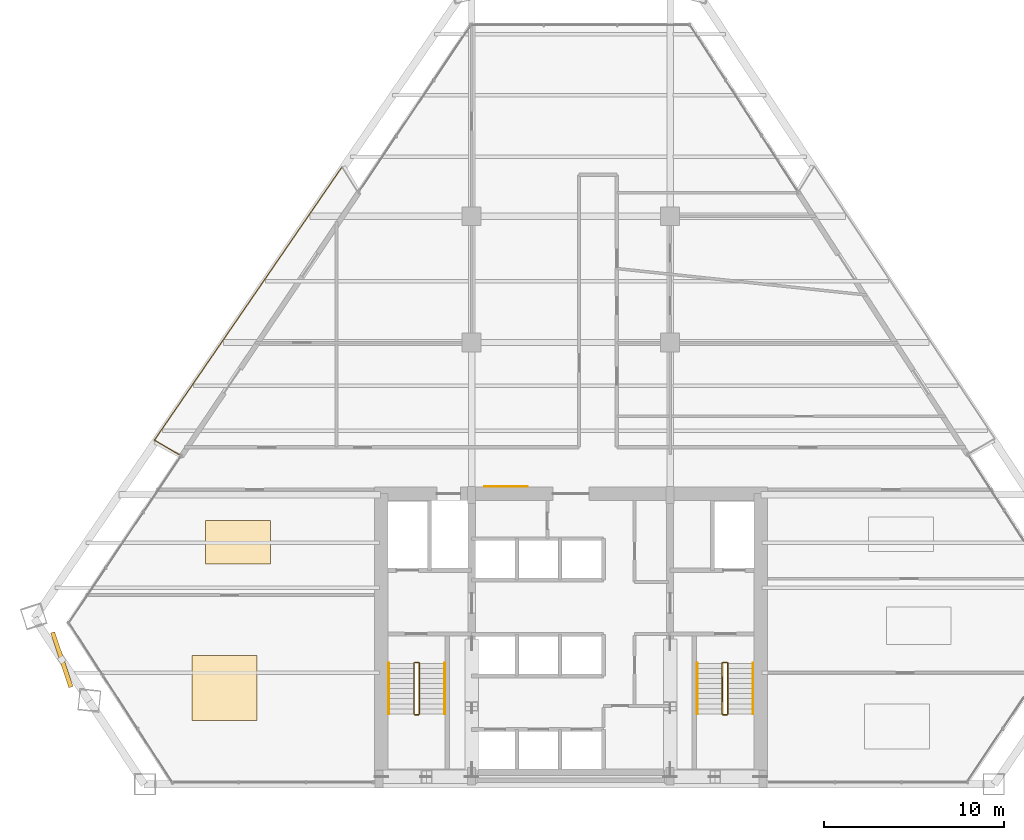
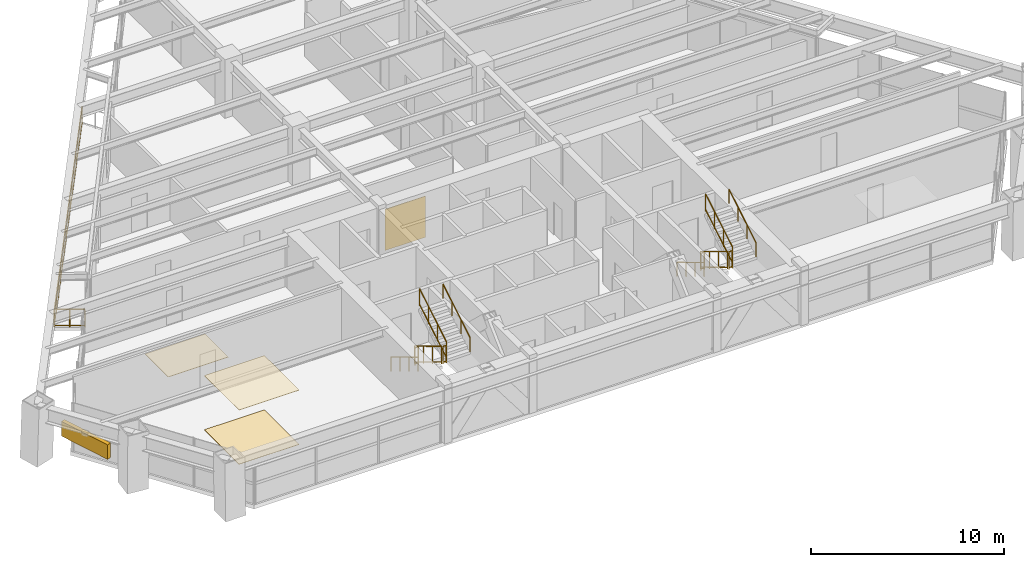
# One storey, part 13 of 14: 14 railings, 4 coverings, 1 shading device.
"""IFC4 building model written with IfcOpenShell, lengths in metres."""

from ifc_helpers import new_model, si_unit, direction, frame, origin, origin_2d, place, context, subcontext, project, spatial, rectangle, extrude, source, transform, mapped, material, layer, layer_set, type_object, type_shapes, element, save


model = new_model("IFC4")

# Units and contexts
model_context = context("Model", 3, precision=1e-05, world=origin(), true_north=direction((0.0, 1.0)))
body_context = subcontext(model_context, "Body", "Model", "MODEL_VIEW")
ifc_project = project(units=[si_unit("LENGTHUNIT", "METRE"), si_unit("AREAUNIT", "SQUARE_METRE"), si_unit("VOLUMEUNIT", "CUBIC_METRE"), si_unit("PLANEANGLEUNIT", "RADIAN"), si_unit("MASSUNIT", "GRAM", prefix="KILO")], contexts=[model_context])

# Site, building, storey
site_placement = place(None, origin())
site = spatial("IfcSite", under=ifc_project, at=site_placement, CompositionType="ELEMENT")
building_placement = place(site_placement, origin())
building = spatial("IfcBuilding", under=site, at=building_placement, Name="Varnakhor Terracotta Tower", CompositionType="ELEMENT")
storey_placement = place(building_placement, frame((0.0, 0.0, 95.10009765625)))
storey = spatial("IfcBuildingStorey", under=building, at=storey_placement, Name="L23", CompositionType="ELEMENT", Elevation=95.10009765625)

# Railings
ifc_material_1 = material(Name="Stainless Steel & Laminated Glass Guardrail", Category="steel")
railing_type_1 = type_object("IfcRailingType", Name="RLG-LOGGIA-GUARD-1150", PredefinedType="GUARDRAIL", material=ifc_material_1)
railing_1_placement = place(storey_placement, frame((-21.709228515625, 18.2763671875, 0.0)))
element("IfcRailing", 1, at=railing_1_placement, inside=storey, type_object=railing_type_1, Name="L23 W Loggia Glass Guard 1", PredefinedType="GUARDRAIL", context=body_context, shape_type="SweptSolid", body=[
    extrude(rectangle(XDim=0.048095703125, YDim=0.048095703125, at=origin_2d()), frame((0.0, 0.0, 1.1259765625), z_axis=(-0.86292040874, 0.505339854138, 0.0), x_axis=(-0.505339854138, -0.86292040874, 0.0)), (0.0, 0.0, 1.0), 1.60107421875),
    extrude(rectangle(XDim=0.048095703125, YDim=0.048095703125, at=origin_2d()), frame((0.0, 0.0, 0.10009765625), z_axis=(-0.86292040874, 0.505339854138, 0.0), x_axis=(-0.505339854138, -0.86292040874, 0.0)), (0.0, 0.0, 1.0), 1.60107421875),
    extrude(rectangle(XDim=0.0419921875, YDim=0.0419921875, at=origin_2d()), origin(), (0.0, 0.0, 1.0), 1.101806640625),
    extrude(rectangle(XDim=0.0419921875, YDim=0.0419921875, at=origin_2d()), frame((-0.69091796875, 0.404541015625, 0.0)), (0.0, 0.0, 1.0), 1.101806640625),
    extrude(rectangle(XDim=0.0419921875, YDim=0.0419921875, at=origin_2d()), frame((-1.381591796875, 0.80908203125, 0.0)), (0.0, 0.0, 1.0), 1.101806640625),
])
railing_2_placement = place(storey_placement, frame((-23.0908203125, 19.08544921875, 0.0)))
element("IfcRailing", 2, at=railing_2_placement, inside=storey, type_object=railing_type_1, Name="L23 W Loggia Glass Guard 2", PredefinedType="GUARDRAIL", context=body_context, shape_type="SweptSolid", body=[
    extrude(rectangle(XDim=0.048095703125, YDim=0.048095703125, at=origin_2d()), frame((0.0, 0.0, 1.1259765625), z_axis=(0.565994102308, 0.82440928922, 0.0), x_axis=(-0.82440928922, 0.565994102308, 0.0)), (0.0, 0.0, 1.0), 18.373779296875),
    extrude(rectangle(XDim=0.048095703125, YDim=0.048095703125, at=origin_2d()), frame((0.0, 0.0, 0.10009765625), z_axis=(0.565994102308, 0.82440928922, 0.0), x_axis=(-0.82440928922, 0.565994102308, 0.0)), (0.0, 0.0, 1.0), 18.373779296875),
    extrude(rectangle(XDim=0.0419921875, YDim=0.0419921875, at=origin_2d()), origin(), (0.0, 0.0, 1.0), 1.101806640625),
    extrude(rectangle(XDim=0.0419921875, YDim=0.0419921875, at=origin_2d()), frame((0.742919921875, 1.08203125, 0.0)), (0.0, 0.0, 1.0), 1.101806640625),
    extrude(rectangle(XDim=0.0419921875, YDim=0.0419921875, at=origin_2d()), frame((1.485595703125, 2.163818359375, 0.0)), (0.0, 0.0, 1.0), 1.101806640625),
    extrude(rectangle(XDim=0.0419921875, YDim=0.0419921875, at=origin_2d()), frame((2.228515625, 3.245849609375, 0.0)), (0.0, 0.0, 1.0), 1.101806640625),
    extrude(rectangle(XDim=0.0419921875, YDim=0.0419921875, at=origin_2d()), frame((2.97119140625, 4.327880859375, 0.0)), (0.0, 0.0, 1.0), 1.101806640625),
    extrude(rectangle(XDim=0.0419921875, YDim=0.0419921875, at=origin_2d()), frame((3.714111328125, 5.409912109375, 0.0)), (0.0, 0.0, 1.0), 1.101806640625),
    extrude(rectangle(XDim=0.0419921875, YDim=0.0419921875, at=origin_2d()), frame((4.456787109375, 6.49169921875, 0.0)), (0.0, 0.0, 1.0), 1.101806640625),
    extrude(rectangle(XDim=0.0419921875, YDim=0.0419921875, at=origin_2d()), frame((5.19970703125, 7.57373046875, 0.0)), (0.0, 0.0, 1.0), 1.101806640625),
    extrude(rectangle(XDim=0.0419921875, YDim=0.0419921875, at=origin_2d()), frame((5.942626953125, 8.65576171875, 0.0)), (0.0, 0.0, 1.0), 1.101806640625),
    extrude(rectangle(XDim=0.0419921875, YDim=0.0419921875, at=origin_2d()), frame((6.685302734375, 9.737548828125, 0.0)), (0.0, 0.0, 1.0), 1.101806640625),
    extrude(rectangle(XDim=0.0419921875, YDim=0.0419921875, at=origin_2d()), frame((7.42822265625, 10.819580078125, 0.0)), (0.0, 0.0, 1.0), 1.101806640625),
    extrude(rectangle(XDim=0.0419921875, YDim=0.0419921875, at=origin_2d()), frame((8.1708984375, 11.901611328125, 0.0)), (0.0, 0.0, 1.0), 1.101806640625),
    extrude(rectangle(XDim=0.0419921875, YDim=0.0419921875, at=origin_2d()), frame((8.913818359375, 12.983642578125, 0.0)), (0.0, 0.0, 1.0), 1.101806640625),
    extrude(rectangle(XDim=0.0419921875, YDim=0.0419921875, at=origin_2d()), frame((9.656494140625, 14.0654296875, 0.0)), (0.0, 0.0, 1.0), 1.101806640625),
    extrude(rectangle(XDim=0.0419921875, YDim=0.0419921875, at=origin_2d()), frame((10.3994140625, 15.1474609375, 0.0)), (0.0, 0.0, 1.0), 1.101806640625),
])
ifc_material_2 = material(Name="Painted Steel Stairwell Guardrail", Category="steel")
railing_type_2 = type_object("IfcRailingType", Name="RLG-STAIR-GUARD-1120", PredefinedType="GUARDRAIL", material=ifc_material_2)
railing_3_placement = place(storey_placement, frame((-8.699951171875, 6.7099609375, 0.16796875)))
element("IfcRailing", 3, at=railing_3_placement, inside=storey, type_object=railing_type_2, Name="L23 ST-1 stair guard 1", PredefinedType="GUARDRAIL", context=body_context, shape_type="SweptSolid", body=[
    extrude(rectangle(XDim=0.048095703125, YDim=0.048095703125, at=origin_2d()), frame((0.0, 0.0, 1.09619140625), z_axis=(0.0, -0.857242210791, 0.514913383045), x_axis=(1.0, 0.0, 0.0)), (0.0, 0.0, 1.0), 3.266357421875),
    extrude(rectangle(XDim=0.048095703125, YDim=0.048095703125, at=origin_2d()), frame((0.0, 0.0, 0.10009765625), z_axis=(0.0, -0.857242210791, 0.514913383045), x_axis=(1.0, 0.0, 0.0)), (0.0, 0.0, 1.0), 3.266357421875),
    extrude(rectangle(XDim=0.0419921875, YDim=0.0419921875, at=origin_2d()), origin(), (0.0, 0.0, 1.0), 1.072021484375),
    extrude(rectangle(XDim=0.0419921875, YDim=0.0419921875, at=origin_2d()), frame((0.0, -0.933349609375, 0.560546875)), (0.0, 0.0, 1.0), 1.072021484375),
    extrude(rectangle(XDim=0.0419921875, YDim=0.0419921875, at=origin_2d()), frame((0.0, -1.86669921875, 1.121337890625)), (0.0, 0.0, 1.0), 1.072021484375),
    extrude(rectangle(XDim=0.0419921875, YDim=0.0419921875, at=origin_2d()), frame((0.0, -2.800048828125, 1.681884765625)), (0.0, 0.0, 1.0), 1.072021484375),
])
railing_4_placement = place(storey_placement, frame((-8.64990234375, 3.860107421875, 1.849853515625)))
element("IfcRailing", 4, at=railing_4_placement, inside=storey, type_object=railing_type_2, Name="L23 ST-1 stair guard 2", PredefinedType="GUARDRAIL", context=body_context, shape_type="SweptSolid", body=[
    extrude(rectangle(XDim=0.048095703125, YDim=0.048095703125, at=origin_2d()), frame((0.0, 0.0, 1.09619140625), z_axis=(1.0, 0.0, 0.0), x_axis=(0.0, 1.0, 0.0)), (0.0, 0.0, 1.0), 0.199951171875),
    extrude(rectangle(XDim=0.048095703125, YDim=0.048095703125, at=origin_2d()), frame((0.0, 0.0, 0.10009765625), z_axis=(1.0, 0.0, 0.0), x_axis=(0.0, 1.0, 0.0)), (0.0, 0.0, 1.0), 0.199951171875),
    extrude(rectangle(XDim=0.0419921875, YDim=0.0419921875, at=origin_2d()), origin(), (0.0, 0.0, 1.0), 1.072021484375),
    extrude(rectangle(XDim=0.0419921875, YDim=0.0419921875, at=origin_2d()), frame((0.199951171875, 0.0, 0.0)), (0.0, 0.0, 1.0), 1.072021484375),
])
railing_5_placement = place(storey_placement, frame((-8.39990234375, 3.909912109375, 2.01806640625)))
element("IfcRailing", 5, at=railing_5_placement, inside=storey, type_object=railing_type_2, Name="L23 ST-1 stair guard 3", PredefinedType="GUARDRAIL", context=body_context, shape_type="SweptSolid", body=[
    extrude(rectangle(XDim=0.048095703125, YDim=0.048095703125, at=origin_2d()), frame((0.0, 0.0, 1.09619140625), z_axis=(0.0, 0.857242210791, 0.514913383045), x_axis=(-1.0, 0.0, 0.0)), (0.0, 0.0, 1.0), 3.266357421875),
    extrude(rectangle(XDim=0.048095703125, YDim=0.048095703125, at=origin_2d()), frame((0.0, 0.0, 0.10009765625), z_axis=(0.0, 0.857242210791, 0.514913383045), x_axis=(-1.0, 0.0, 0.0)), (0.0, 0.0, 1.0), 3.266357421875),
    extrude(rectangle(XDim=0.0419921875, YDim=0.0419921875, at=origin_2d()), origin(), (0.0, 0.0, 1.0), 1.072021484375),
    extrude(rectangle(XDim=0.0419921875, YDim=0.0419921875, at=origin_2d()), frame((0.0, 0.933349609375, 0.560546875)), (0.0, 0.0, 1.0), 1.072021484375),
    extrude(rectangle(XDim=0.0419921875, YDim=0.0419921875, at=origin_2d()), frame((0.0, 1.86669921875, 1.121337890625)), (0.0, 0.0, 1.0), 1.072021484375),
    extrude(rectangle(XDim=0.0419921875, YDim=0.0419921875, at=origin_2d()), frame((0.0, 2.800048828125, 1.681884765625)), (0.0, 0.0, 1.0), 1.072021484375),
])
railing_6_placement = place(storey_placement, frame((-8.64990234375, 6.760009765625, 0.0)))
element("IfcRailing", 6, at=railing_6_placement, inside=storey, type_object=railing_type_2, Name="L23 ST-1 stair guard 4", PredefinedType="GUARDRAIL", context=body_context, shape_type="SweptSolid", body=[
    extrude(rectangle(XDim=0.048095703125, YDim=0.048095703125, at=origin_2d()), frame((0.0, 0.0, 1.09619140625), z_axis=(1.0, 0.0, 0.0), x_axis=(0.0, 1.0, 0.0)), (0.0, 0.0, 1.0), 0.199951171875),
    extrude(rectangle(XDim=0.048095703125, YDim=0.048095703125, at=origin_2d()), frame((0.0, 0.0, 0.10009765625), z_axis=(1.0, 0.0, 0.0), x_axis=(0.0, 1.0, 0.0)), (0.0, 0.0, 1.0), 0.199951171875),
    extrude(rectangle(XDim=0.0419921875, YDim=0.0419921875, at=origin_2d()), origin(), (0.0, 0.0, 1.0), 1.072021484375),
    extrude(rectangle(XDim=0.0419921875, YDim=0.0419921875, at=origin_2d()), frame((0.199951171875, 0.0, 0.0)), (0.0, 0.0, 1.0), 1.072021484375),
])
railing_7_placement = place(storey_placement, frame((8.39990234375, 6.7099609375, 0.16796875)))
element("IfcRailing", 7, at=railing_7_placement, inside=storey, type_object=railing_type_2, Name="L23 ST-2 stair guard 1", PredefinedType="GUARDRAIL", context=body_context, shape_type="SweptSolid", body=[
    extrude(rectangle(XDim=0.048095703125, YDim=0.048095703125, at=origin_2d()), frame((0.0, 0.0, 1.09619140625), z_axis=(0.0, -0.857242210791, 0.514913383045), x_axis=(1.0, 0.0, 0.0)), (0.0, 0.0, 1.0), 3.266357421875),
    extrude(rectangle(XDim=0.048095703125, YDim=0.048095703125, at=origin_2d()), frame((0.0, 0.0, 0.10009765625), z_axis=(0.0, -0.857242210791, 0.514913383045), x_axis=(1.0, 0.0, 0.0)), (0.0, 0.0, 1.0), 3.266357421875),
    extrude(rectangle(XDim=0.0419921875, YDim=0.0419921875, at=origin_2d()), origin(), (0.0, 0.0, 1.0), 1.072021484375),
    extrude(rectangle(XDim=0.0419921875, YDim=0.0419921875, at=origin_2d()), frame((0.0, -0.933349609375, 0.560546875)), (0.0, 0.0, 1.0), 1.072021484375),
    extrude(rectangle(XDim=0.0419921875, YDim=0.0419921875, at=origin_2d()), frame((0.0, -1.86669921875, 1.121337890625)), (0.0, 0.0, 1.0), 1.072021484375),
    extrude(rectangle(XDim=0.0419921875, YDim=0.0419921875, at=origin_2d()), frame((0.0, -2.800048828125, 1.681884765625)), (0.0, 0.0, 1.0), 1.072021484375),
])
railing_8_placement = place(storey_placement, frame((8.449951171875, 3.860107421875, 1.849853515625)))
element("IfcRailing", 8, at=railing_8_placement, inside=storey, type_object=railing_type_2, Name="L23 ST-2 stair guard 2", PredefinedType="GUARDRAIL", context=body_context, shape_type="SweptSolid", body=[
    extrude(rectangle(XDim=0.048095703125, YDim=0.048095703125, at=origin_2d()), frame((0.0, 0.0, 1.09619140625), z_axis=(1.0, 0.0, 0.0), x_axis=(0.0, 1.0, 0.0)), (0.0, 0.0, 1.0), 0.199951171875),
    extrude(rectangle(XDim=0.048095703125, YDim=0.048095703125, at=origin_2d()), frame((0.0, 0.0, 0.10009765625), z_axis=(1.0, 0.0, 0.0), x_axis=(0.0, 1.0, 0.0)), (0.0, 0.0, 1.0), 0.199951171875),
    extrude(rectangle(XDim=0.0419921875, YDim=0.0419921875, at=origin_2d()), origin(), (0.0, 0.0, 1.0), 1.072021484375),
    extrude(rectangle(XDim=0.0419921875, YDim=0.0419921875, at=origin_2d()), frame((0.199951171875, 0.0, 0.0)), (0.0, 0.0, 1.0), 1.072021484375),
])
railing_9_placement = place(storey_placement, frame((8.699951171875, 3.909912109375, 2.01806640625)))
element("IfcRailing", 9, at=railing_9_placement, inside=storey, type_object=railing_type_2, Name="L23 ST-2 stair guard 3", PredefinedType="GUARDRAIL", context=body_context, shape_type="SweptSolid", body=[
    extrude(rectangle(XDim=0.048095703125, YDim=0.048095703125, at=origin_2d()), frame((0.0, 0.0, 1.09619140625), z_axis=(0.0, 0.857242210791, 0.514913383045), x_axis=(-1.0, 0.0, 0.0)), (0.0, 0.0, 1.0), 3.266357421875),
    extrude(rectangle(XDim=0.048095703125, YDim=0.048095703125, at=origin_2d()), frame((0.0, 0.0, 0.10009765625), z_axis=(0.0, 0.857242210791, 0.514913383045), x_axis=(-1.0, 0.0, 0.0)), (0.0, 0.0, 1.0), 3.266357421875),
    extrude(rectangle(XDim=0.0419921875, YDim=0.0419921875, at=origin_2d()), origin(), (0.0, 0.0, 1.0), 1.072021484375),
    extrude(rectangle(XDim=0.0419921875, YDim=0.0419921875, at=origin_2d()), frame((0.0, 0.933349609375, 0.560546875)), (0.0, 0.0, 1.0), 1.072021484375),
    extrude(rectangle(XDim=0.0419921875, YDim=0.0419921875, at=origin_2d()), frame((0.0, 1.86669921875, 1.121337890625)), (0.0, 0.0, 1.0), 1.072021484375),
    extrude(rectangle(XDim=0.0419921875, YDim=0.0419921875, at=origin_2d()), frame((0.0, 2.800048828125, 1.681884765625)), (0.0, 0.0, 1.0), 1.072021484375),
])
railing_10_placement = place(storey_placement, frame((8.449951171875, 6.760009765625, 0.0)))
element("IfcRailing", 10, at=railing_10_placement, inside=storey, type_object=railing_type_2, Name="L23 ST-2 stair guard 4", PredefinedType="GUARDRAIL", context=body_context, shape_type="SweptSolid", body=[
    extrude(rectangle(XDim=0.048095703125, YDim=0.048095703125, at=origin_2d()), frame((0.0, 0.0, 1.09619140625), z_axis=(1.0, 0.0, 0.0), x_axis=(0.0, 1.0, 0.0)), (0.0, 0.0, 1.0), 0.199951171875),
    extrude(rectangle(XDim=0.048095703125, YDim=0.048095703125, at=origin_2d()), frame((0.0, 0.0, 0.10009765625), z_axis=(1.0, 0.0, 0.0), x_axis=(0.0, 1.0, 0.0)), (0.0, 0.0, 1.0), 0.199951171875),
    extrude(rectangle(XDim=0.0419921875, YDim=0.0419921875, at=origin_2d()), origin(), (0.0, 0.0, 1.0), 1.072021484375),
    extrude(rectangle(XDim=0.0419921875, YDim=0.0419921875, at=origin_2d()), frame((0.199951171875, 0.0, 0.0)), (0.0, 0.0, 1.0), 1.072021484375),
])
ifc_material_3 = material(Name="Brushed Stainless Steel Handrail", Category="steel")
railing_type_3 = type_object("IfcRailingType", Name="RLG-STAIR-HANDRAIL-920", PredefinedType="HANDRAIL", material=ifc_material_3)
railing_11_placement = place(storey_placement, frame((-10.10009765625, 6.7099609375, 0.16796875)))
element("IfcRailing", 11, at=railing_11_placement, inside=storey, type_object=railing_type_3, Name="L23 ST-1 stair handrail 1", PredefinedType="HANDRAIL", context=body_context, shape_type="SweptSolid", body=[
    extrude(rectangle(XDim=0.048095703125, YDim=0.048095703125, at=origin_2d()), frame((0.0, 0.0, 0.89599609375), z_axis=(0.0, -0.857242210791, 0.514913383045), x_axis=(1.0, 0.0, 0.0)), (0.0, 0.0, 1.0), 3.266357421875),
    extrude(rectangle(XDim=0.0419921875, YDim=0.0419921875, at=origin_2d()), origin(), (0.0, 0.0, 1.0), 0.871826171875),
    extrude(rectangle(XDim=0.0419921875, YDim=0.0419921875, at=origin_2d()), frame((0.0, -0.933349609375, 0.560546875)), (0.0, 0.0, 1.0), 0.871826171875),
    extrude(rectangle(XDim=0.0419921875, YDim=0.0419921875, at=origin_2d()), frame((0.0, -1.86669921875, 1.121337890625)), (0.0, 0.0, 1.0), 0.871826171875),
    extrude(rectangle(XDim=0.0419921875, YDim=0.0419921875, at=origin_2d()), frame((0.0, -2.800048828125, 1.681884765625)), (0.0, 0.0, 1.0), 0.871826171875),
])
railing_12_placement = place(storey_placement, frame((-7.0, 3.909912109375, 2.01806640625)))
element("IfcRailing", 12, at=railing_12_placement, inside=storey, type_object=railing_type_3, Name="L23 ST-1 stair handrail 2", PredefinedType="HANDRAIL", context=body_context, shape_type="SweptSolid", body=[
    extrude(rectangle(XDim=0.048095703125, YDim=0.048095703125, at=origin_2d()), frame((0.0, 0.0, 0.89599609375), z_axis=(0.0, 0.857242210791, 0.514913383045), x_axis=(-1.0, 0.0, 0.0)), (0.0, 0.0, 1.0), 3.266357421875),
    extrude(rectangle(XDim=0.0419921875, YDim=0.0419921875, at=origin_2d()), origin(), (0.0, 0.0, 1.0), 0.871826171875),
    extrude(rectangle(XDim=0.0419921875, YDim=0.0419921875, at=origin_2d()), frame((0.0, 0.933349609375, 0.560546875)), (0.0, 0.0, 1.0), 0.871826171875),
    extrude(rectangle(XDim=0.0419921875, YDim=0.0419921875, at=origin_2d()), frame((0.0, 1.86669921875, 1.121337890625)), (0.0, 0.0, 1.0), 0.871826171875),
    extrude(rectangle(XDim=0.0419921875, YDim=0.0419921875, at=origin_2d()), frame((0.0, 2.800048828125, 1.681884765625)), (0.0, 0.0, 1.0), 0.871826171875),
])
railing_13_placement = place(storey_placement, frame((7.0, 6.7099609375, 0.16796875)))
element("IfcRailing", 13, at=railing_13_placement, inside=storey, type_object=railing_type_3, Name="L23 ST-2 stair handrail 1", PredefinedType="HANDRAIL", context=body_context, shape_type="SweptSolid", body=[
    extrude(rectangle(XDim=0.048095703125, YDim=0.048095703125, at=origin_2d()), frame((0.0, 0.0, 0.89599609375), z_axis=(0.0, -0.857242210791, 0.514913383045), x_axis=(1.0, 0.0, 0.0)), (0.0, 0.0, 1.0), 3.266357421875),
    extrude(rectangle(XDim=0.0419921875, YDim=0.0419921875, at=origin_2d()), origin(), (0.0, 0.0, 1.0), 0.871826171875),
    extrude(rectangle(XDim=0.0419921875, YDim=0.0419921875, at=origin_2d()), frame((0.0, -0.933349609375, 0.560546875)), (0.0, 0.0, 1.0), 0.871826171875),
    extrude(rectangle(XDim=0.0419921875, YDim=0.0419921875, at=origin_2d()), frame((0.0, -1.86669921875, 1.121337890625)), (0.0, 0.0, 1.0), 0.871826171875),
    extrude(rectangle(XDim=0.0419921875, YDim=0.0419921875, at=origin_2d()), frame((0.0, -2.800048828125, 1.681884765625)), (0.0, 0.0, 1.0), 0.871826171875),
])
railing_14_placement = place(storey_placement, frame((10.10009765625, 3.909912109375, 2.01806640625)))
element("IfcRailing", 14, at=railing_14_placement, inside=storey, type_object=railing_type_3, Name="L23 ST-2 stair handrail 2", PredefinedType="HANDRAIL", context=body_context, shape_type="SweptSolid", body=[
    extrude(rectangle(XDim=0.048095703125, YDim=0.048095703125, at=origin_2d()), frame((0.0, 0.0, 0.89599609375), z_axis=(0.0, 0.857242210791, 0.514913383045), x_axis=(-1.0, 0.0, 0.0)), (0.0, 0.0, 1.0), 3.266357421875),
    extrude(rectangle(XDim=0.0419921875, YDim=0.0419921875, at=origin_2d()), origin(), (0.0, 0.0, 1.0), 0.871826171875),
    extrude(rectangle(XDim=0.0419921875, YDim=0.0419921875, at=origin_2d()), frame((0.0, 0.933349609375, 0.560546875)), (0.0, 0.0, 1.0), 0.871826171875),
    extrude(rectangle(XDim=0.0419921875, YDim=0.0419921875, at=origin_2d()), frame((0.0, 1.86669921875, 1.121337890625)), (0.0, 0.0, 1.0), 0.871826171875),
    extrude(rectangle(XDim=0.0419921875, YDim=0.0419921875, at=origin_2d()), frame((0.0, 2.800048828125, 1.681884765625)), (0.0, 0.0, 1.0), 0.871826171875),
])

# Shading device
ifc_material_4 = material(Name="Extruded Architectural Terracotta Screen", Category="masonry")
shading_device_type = type_object("IfcShadingDeviceType", Name="TERRACOTTA SOLAR SCREEN W", PredefinedType="USERDEFINED", material=ifc_material_4)
shared_shape_1 = source(origin(), body_context, "Body", "SweptSolid", [
    extrude(rectangle(XDim=3.199951171875, YDim=0.239990234375, at=origin_2d()), origin(), (0.0, 0.0, 1.0), 0.919921875),
])
type_shapes(shading_device_type, [shared_shape_1])
shading_device_placement = place(storey_placement, frame((-28.226806640625, 6.909423828125, 1.617919921875), z_axis=(0.0, 0.0, 1.0), x_axis=(0.31684118017, -0.948478606268, 0.0)))
element("IfcShadingDevice", 15, at=shading_device_placement, inside=storey, type_object=shading_device_type, Name="L23 W Terracotta Solar Screen", ObjectType="SCREEN", PredefinedType="USERDEFINED", context=body_context, shape_type="MappedRepresentation", body=[
    mapped(shared_shape_1, transform((0.0, 0.0, 0.0), scale=1.0)),
])

# Coverings
ifc_material_5 = material(Name="Extruded Architectural Terracotta Cladding", Category="masonry")
ifc_layer_1 = layer(ifc_material_5, 0.044921875, Name="Extruded Architectural Terracotta Cladding")
ifc_layer_set_1 = layer_set([ifc_layer_1], Name="Extruded Architectural Terracotta Cladding")
covering_type_1 = type_object("IfcCoveringType", Name="COV-CLAD-TERRACOTTA", PredefinedType="CLADDING", material=ifc_layer_set_1)
shared_shape_2 = source(origin(), body_context, "Body", "SweptSolid", [
    extrude(rectangle(XDim=2.39990234375, YDim=0.030029296875, at=origin_2d()), origin(), (0.0, 0.0, 1.0), 2.60009765625),
])
type_shapes(covering_type_1, [shared_shape_2])
covering_1_placement = place(storey_placement, frame((-3.60009765625, 16.511962890625, -0.000244140625), z_axis=(0.0, 0.0, 1.0), x_axis=(1.0, 0.0, 0.0)))
element("IfcCovering", 16, at=covering_1_placement, inside=storey, type_object=covering_type_1, Name="L23 Core Lobby Limestone Cladding", PredefinedType="CLADDING", context=body_context, shape_type="MappedRepresentation", body=[
    mapped(shared_shape_2, transform((0.0, 0.0, 0.0), scale=1.0)),
])
ifc_material_6 = material(Name="Honed Riyadh Limestone Flooring", Category="masonry")
ifc_layer_2 = layer(ifc_material_6, 0.030029296875, Name="Honed Riyadh Limestone Flooring")
ifc_layer_set_2 = layer_set([ifc_layer_2], Name="Honed Riyadh Limestone Flooring")
covering_type_2 = type_object("IfcCoveringType", Name="COV-FLOOR-LIMESTONE", PredefinedType="FLOORING", material=ifc_layer_set_2)
shared_shape_3 = source(origin(), body_context, "Body", "SweptSolid", [
    extrude(rectangle(XDim=3.60009765625, YDim=3.60009765625, at=origin_2d()), origin(), (0.0, 0.0, 1.0), 0.02001953125),
])
covering_2_placement = place(storey_placement, frame((-19.214111328125, 5.35205078125, 0.0), z_axis=(0.0, 0.0, 1.0), x_axis=(1.0, 0.0, 0.0)))
element("IfcCovering", 17, at=covering_2_placement, inside=storey, type_object=covering_type_2, Name="L23 Honed Stone Flooring 2", PredefinedType="FLOORING", context=body_context, shape_type="MappedRepresentation", body=[
    mapped(shared_shape_3, transform((0.0, 0.0, 0.0), scale=1.0)),
])
ifc_material_7 = material(Name="Perforated Acoustic Mineral-Fibre Ceiling", Category="gypsum")
ifc_layer_3 = layer(ifc_material_7, 0.02490234375, Name="Perforated Acoustic Mineral-Fibre Ceiling")
ifc_layer_set_3 = layer_set([ifc_layer_3], Name="Perforated Acoustic Mineral-Fibre Ceiling")
covering_type_3 = type_object("IfcCoveringType", Name="COV-CEILING-ACOUSTIC", PredefinedType="CEILING", material=ifc_layer_set_3)
shared_shape_4 = source(origin(), body_context, "Body", "SweptSolid", [
    extrude(rectangle(XDim=3.60009765625, YDim=3.60009765625, at=origin_2d()), origin(), (0.0, 0.0, 1.0), 0.02392578125),
])
covering_3_placement = place(storey_placement, frame((-19.214111328125, 5.35205078125, 3.426025390625), z_axis=(0.0, 0.0, 1.0), x_axis=(1.0, 0.0, 0.0)))
element("IfcCovering", 18, at=covering_3_placement, inside=storey, type_object=covering_type_3, Name="L23 Acoustic Ceiling Panel 2", PredefinedType="CEILING", context=body_context, shape_type="MappedRepresentation", body=[
    mapped(shared_shape_4, transform((0.0, 0.0, 0.0), scale=1.0)),
])
shared_shape_5 = source(origin(), body_context, "Body", "SweptSolid", [
    extrude(rectangle(XDim=3.60009765625, YDim=2.406982421875, at=origin_2d()), origin(), (0.0, 0.0, 1.0), 0.02001953125),
])
covering_4_placement = place(storey_placement, frame((-18.449951171875, 13.4140625, 0.0), z_axis=(0.0, 0.0, 1.0), x_axis=(1.0, 0.0, 0.0)))
element("IfcCovering", 19, at=covering_4_placement, inside=storey, type_object=covering_type_2, Name="L23 Honed Stone Flooring 4", PredefinedType="FLOORING", context=body_context, shape_type="MappedRepresentation", body=[
    mapped(shared_shape_5, transform((0.0, 0.0, 0.0), scale=1.0)),
])

save(model, "model.ifc")
